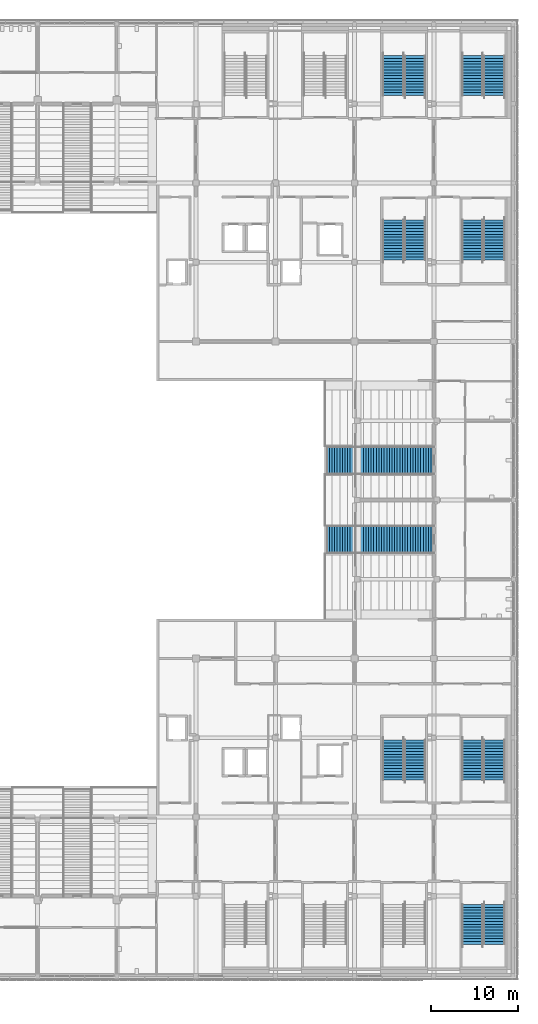
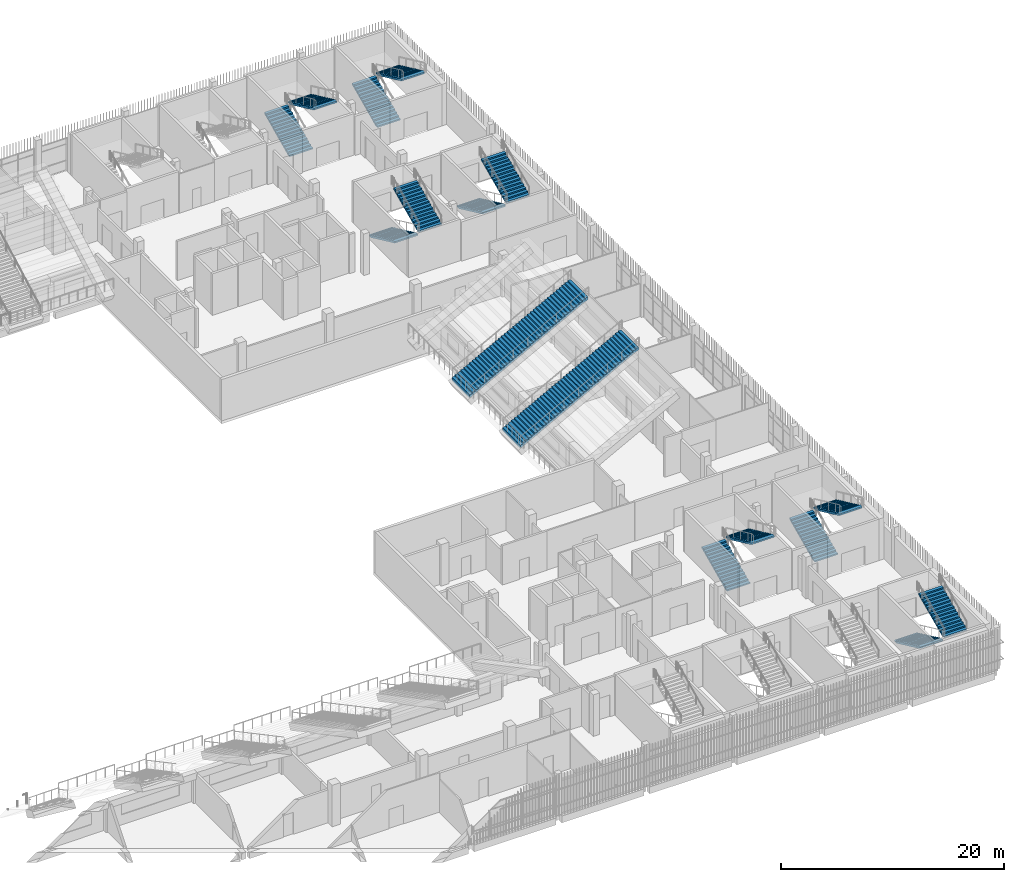
# One storey, part 95 of 139: 16 stair flights, 9 elements without a shape of their own.
"""IFC4 building model written with IfcOpenShell, lengths in metres."""

from ifc_helpers import new_model, si_unit, direction, frame, origin, place, context, subcontext, project, spatial, polyline, outline, extrude, material, type_object, element, aggregate, save


model = new_model("IFC4")

# Units and contexts
model_context = context("Model", 3, precision=1e-05, world=origin(), true_north=direction((0.0, 1.0)))
body_context = subcontext(model_context, "Body", "Model", "MODEL_VIEW")
ifc_project = project(units=[si_unit("LENGTHUNIT", "METRE"), si_unit("AREAUNIT", "SQUARE_METRE"), si_unit("VOLUMEUNIT", "CUBIC_METRE"), si_unit("PLANEANGLEUNIT", "RADIAN"), si_unit("MASSUNIT", "GRAM", prefix="KILO")], contexts=[model_context])

# Site, building, storey
site_placement = place(None, origin())
site = spatial("IfcSite", under=ifc_project, at=site_placement, CompositionType="ELEMENT")
building_placement = place(site_placement, origin())
building = spatial("IfcBuilding", under=site, at=building_placement, Name="Shirokan Park Arena", CompositionType="ELEMENT")
storey_placement = place(building_placement, frame((0.0, 0.0, 15.469970703125)))
storey = spatial("IfcBuildingStorey", under=building, at=storey_placement, Name="L03", CompositionType="ELEMENT", Elevation=15.469970703125)

# Stair, stair flights
ifc_material = material(Name="Concrete C30 precast", Category="concrete")
stair_type_1 = type_object("IfcStairType", Name="Stair 30 risers 152 x 327 2400 wide", PredefinedType="TWO_STRAIGHT_RUN_STAIR", material=ifc_material)
stair_1_placement = place(storey_placement, origin())
stair_1 = element("IfcStair", 1, at=stair_1_placement, inside=storey, type_object=stair_type_1, Name="Exit Stair 2.A L03 to L04", PredefinedType="TWO_STRAIGHT_RUN_STAIR")
stair_flight_type_1 = type_object("IfcStairFlightType", Name="Stair flight 15 risers 152 x 327 2400 wide", PredefinedType="STRAIGHT", material=ifc_material)
stair_flight_1_placement = place(storey_placement, frame((140.949951171875, 8.14990234375, 0.0), z_axis=(0.0, 0.0, 1.0), x_axis=(0.0, -1.0, 0.0)))
stair_flight_1 = element("IfcStairFlight", 2, at=stair_flight_1_placement, type_object=stair_flight_type_1, Name="ST04.4 flight 1", NumberOfRisers=15, NumberOfTreads=14, PredefinedType="STRAIGHT", RiserHeight=0.151666667, TreadLength=0.3267, context=body_context, shape_type="SweptSolid", body=[
    extrude(outline(polyline([(0.0, 0.0), (0.0, 0.151611328125), (0.32666015625, 0.151611328125), (0.32666015625, 0.30322265625), (0.6533203125, 0.30322265625), (0.6533203125, 0.455078125), (0.97998046875, 0.455078125), (0.97998046875, 0.606689453125), (1.306884765625, 0.606689453125), (1.306884765625, 0.75830078125), (1.633544921875, 0.75830078125), (1.633544921875, 0.909912109375), (1.960205078125, 0.909912109375), (1.960205078125, 1.061767578125), (2.286865234375, 1.061767578125), (2.286865234375, 1.21337890625), (2.613525390625, 1.21337890625), (2.613525390625, 1.364990234375), (2.940185546875, 1.364990234375), (2.940185546875, 1.5166015625), (3.26708984375, 1.5166015625), (3.26708984375, 1.668212890625), (3.59375, 1.668212890625), (3.59375, 1.820068359375), (3.92041015625, 1.820068359375), (3.92041015625, 1.9716796875), (4.2470703125, 1.9716796875), (4.2470703125, 2.123291015625), (4.57373046875, 2.123291015625), (4.57373046875, 2.27490234375), (4.57373046875, 1.9580078125), (0.35595703125, 0.0), (0.0, 0.0)])), frame((0.0, 1.199951171875, 0.0), z_axis=(0.0, -1.0, 0.0), x_axis=(1.0, 0.0, 0.0)), (0.0, 0.0, 1.0), 2.39990234375),
])
stair_flight_2_placement = place(storey_placement, frame((143.449951171875, 3.576171875, 2.275146484375), z_axis=(0.0, 0.0, 1.0), x_axis=(0.0, 1.0, 0.0)))
stair_flight_2 = element("IfcStairFlight", 3, at=stair_flight_2_placement, type_object=stair_flight_type_1, Name="ST04.4 flight 2", NumberOfRisers=15, NumberOfTreads=14, PredefinedType="STRAIGHT", RiserHeight=0.151666667, TreadLength=0.3267, context=body_context, shape_type="SweptSolid", body=[
    extrude(outline(polyline([(0.0, 0.0), (0.0, 0.151611328125), (0.32666015625, 0.151611328125), (0.32666015625, 0.30322265625), (0.6533203125, 0.30322265625), (0.6533203125, 0.455078125), (0.97998046875, 0.455078125), (0.97998046875, 0.606689453125), (1.306884765625, 0.606689453125), (1.306884765625, 0.75830078125), (1.633544921875, 0.75830078125), (1.633544921875, 0.909912109375), (1.960205078125, 0.909912109375), (1.960205078125, 1.061767578125), (2.286865234375, 1.061767578125), (2.286865234375, 1.21337890625), (2.613525390625, 1.21337890625), (2.613525390625, 1.364990234375), (2.940185546875, 1.364990234375), (2.940185546875, 1.5166015625), (3.26708984375, 1.5166015625), (3.26708984375, 1.668212890625), (3.59375, 1.668212890625), (3.59375, 1.820068359375), (3.92041015625, 1.820068359375), (3.92041015625, 1.9716796875), (4.2470703125, 1.9716796875), (4.2470703125, 2.123291015625), (4.57373046875, 2.123291015625), (4.57373046875, 2.27490234375), (4.57373046875, 1.9580078125), (0.35595703125, 0.0), (0.0, 0.0)])), frame((0.0, 1.199951171875, 0.0), z_axis=(0.0, -1.0, 0.0), x_axis=(1.0, 0.0, 0.0)), (0.0, 0.0, 1.0), 2.39990234375),
])
aggregate(stair_1, [stair_flight_1, stair_flight_2])

stair_2_placement = place(storey_placement, origin())
stair_2 = element("IfcStair", 4, at=stair_2_placement, inside=storey, type_object=stair_type_1, Name="Exit Stair 2.E L03 to L04", PredefinedType="TWO_STRAIGHT_RUN_STAIR")
stair_flight_3_placement = place(storey_placement, frame((140.949951171875, 22.449951171875, 0.0), z_axis=(0.0, 0.0, 1.0), x_axis=(0.0, 1.0, 0.0)))
stair_flight_3 = element("IfcStairFlight", 5, at=stair_flight_3_placement, type_object=stair_flight_type_1, Name="ST08.4 flight 1", NumberOfRisers=15, NumberOfTreads=14, PredefinedType="STRAIGHT", RiserHeight=0.151666667, TreadLength=0.3267, context=body_context, shape_type="SweptSolid", body=[
    extrude(outline(polyline([(0.0, 0.0), (0.0, 0.151611328125), (0.32666015625, 0.151611328125), (0.32666015625, 0.30322265625), (0.6533203125, 0.30322265625), (0.6533203125, 0.455078125), (0.97998046875, 0.455078125), (0.97998046875, 0.606689453125), (1.306884765625, 0.606689453125), (1.306884765625, 0.75830078125), (1.633544921875, 0.75830078125), (1.633544921875, 0.909912109375), (1.960205078125, 0.909912109375), (1.960205078125, 1.061767578125), (2.286865234375, 1.061767578125), (2.286865234375, 1.21337890625), (2.613525390625, 1.21337890625), (2.613525390625, 1.364990234375), (2.940185546875, 1.364990234375), (2.940185546875, 1.5166015625), (3.26708984375, 1.5166015625), (3.26708984375, 1.668212890625), (3.59375, 1.668212890625), (3.59375, 1.820068359375), (3.92041015625, 1.820068359375), (3.92041015625, 1.9716796875), (4.2470703125, 1.9716796875), (4.2470703125, 2.123291015625), (4.57373046875, 2.123291015625), (4.57373046875, 2.27490234375), (4.57373046875, 1.9580078125), (0.35595703125, 0.0), (0.0, 0.0)])), frame((0.0, 1.199951171875, 0.0), z_axis=(0.0, -1.0, 0.0), x_axis=(1.0, 0.0, 0.0)), (0.0, 0.0, 1.0), 2.39990234375),
])
stair_flight_4_placement = place(storey_placement, frame((143.449951171875, 27.023681640625, 2.275146484375), z_axis=(0.0, 0.0, 1.0), x_axis=(0.0, -1.0, 0.0)))
stair_flight_4 = element("IfcStairFlight", 6, at=stair_flight_4_placement, type_object=stair_flight_type_1, Name="ST08.4 flight 2", NumberOfRisers=15, NumberOfTreads=14, PredefinedType="STRAIGHT", RiserHeight=0.151666667, TreadLength=0.3267, context=body_context, shape_type="SweptSolid", body=[
    extrude(outline(polyline([(0.0, 0.0), (0.0, 0.151611328125), (0.32666015625, 0.151611328125), (0.32666015625, 0.30322265625), (0.6533203125, 0.30322265625), (0.6533203125, 0.455078125), (0.97998046875, 0.455078125), (0.97998046875, 0.606689453125), (1.306884765625, 0.606689453125), (1.306884765625, 0.75830078125), (1.633544921875, 0.75830078125), (1.633544921875, 0.909912109375), (1.960205078125, 0.909912109375), (1.960205078125, 1.061767578125), (2.286865234375, 1.061767578125), (2.286865234375, 1.21337890625), (2.613525390625, 1.21337890625), (2.613525390625, 1.364990234375), (2.940185546875, 1.364990234375), (2.940185546875, 1.5166015625), (3.26708984375, 1.5166015625), (3.26708984375, 1.668212890625), (3.59375, 1.668212890625), (3.59375, 1.820068359375), (3.92041015625, 1.820068359375), (3.92041015625, 1.9716796875), (4.2470703125, 1.9716796875), (4.2470703125, 2.123291015625), (4.57373046875, 2.123291015625), (4.57373046875, 2.27490234375), (4.57373046875, 1.9580078125), (0.35595703125, 0.0), (0.0, 0.0)])), frame((0.0, 1.199951171875, 0.0), z_axis=(0.0, -1.0, 0.0), x_axis=(1.0, 0.0, 0.0)), (0.0, 0.0, 1.0), 2.39990234375),
])
aggregate(stair_2, [stair_flight_3, stair_flight_4])

stair_3_placement = place(storey_placement, origin())
stair_3 = element("IfcStair", 7, at=stair_3_placement, inside=storey, type_object=stair_type_1, Name="Exit Stair 2.F L03 to L04", PredefinedType="TWO_STRAIGHT_RUN_STAIR")
stair_flight_5_placement = place(storey_placement, frame((131.85009765625, 22.449951171875, 0.0), z_axis=(0.0, 0.0, 1.0), x_axis=(0.0, 1.0, 0.0)))
stair_flight_5 = element("IfcStairFlight", 8, at=stair_flight_5_placement, type_object=stair_flight_type_1, Name="ST09.4 flight 1", NumberOfRisers=15, NumberOfTreads=14, PredefinedType="STRAIGHT", RiserHeight=0.151666667, TreadLength=0.3267, context=body_context, shape_type="SweptSolid", body=[
    extrude(outline(polyline([(0.0, 0.0), (0.0, 0.151611328125), (0.32666015625, 0.151611328125), (0.32666015625, 0.30322265625), (0.6533203125, 0.30322265625), (0.6533203125, 0.455078125), (0.97998046875, 0.455078125), (0.97998046875, 0.606689453125), (1.306884765625, 0.606689453125), (1.306884765625, 0.75830078125), (1.633544921875, 0.75830078125), (1.633544921875, 0.909912109375), (1.960205078125, 0.909912109375), (1.960205078125, 1.061767578125), (2.286865234375, 1.061767578125), (2.286865234375, 1.21337890625), (2.613525390625, 1.21337890625), (2.613525390625, 1.364990234375), (2.940185546875, 1.364990234375), (2.940185546875, 1.5166015625), (3.26708984375, 1.5166015625), (3.26708984375, 1.668212890625), (3.59375, 1.668212890625), (3.59375, 1.820068359375), (3.92041015625, 1.820068359375), (3.92041015625, 1.9716796875), (4.2470703125, 1.9716796875), (4.2470703125, 2.123291015625), (4.57373046875, 2.123291015625), (4.57373046875, 2.27490234375), (4.57373046875, 1.9580078125), (0.35595703125, 0.0), (0.0, 0.0)])), frame((0.0, 1.199951171875, 0.0), z_axis=(0.0, -1.0, 0.0), x_axis=(1.0, 0.0, 0.0)), (0.0, 0.0, 1.0), 2.39990234375),
])
stair_flight_6_placement = place(storey_placement, frame((134.35009765625, 27.023681640625, 2.275146484375), z_axis=(0.0, 0.0, 1.0), x_axis=(0.0, -1.0, 0.0)))
stair_flight_6 = element("IfcStairFlight", 9, at=stair_flight_6_placement, type_object=stair_flight_type_1, Name="ST09.4 flight 2", NumberOfRisers=15, NumberOfTreads=14, PredefinedType="STRAIGHT", RiserHeight=0.151666667, TreadLength=0.3267, context=body_context, shape_type="SweptSolid", body=[
    extrude(outline(polyline([(0.0, 0.0), (0.0, 0.151611328125), (0.32666015625, 0.151611328125), (0.32666015625, 0.30322265625), (0.6533203125, 0.30322265625), (0.6533203125, 0.455078125), (0.97998046875, 0.455078125), (0.97998046875, 0.606689453125), (1.306884765625, 0.606689453125), (1.306884765625, 0.75830078125), (1.633544921875, 0.75830078125), (1.633544921875, 0.909912109375), (1.960205078125, 0.909912109375), (1.960205078125, 1.061767578125), (2.286865234375, 1.061767578125), (2.286865234375, 1.21337890625), (2.613525390625, 1.21337890625), (2.613525390625, 1.364990234375), (2.940185546875, 1.364990234375), (2.940185546875, 1.5166015625), (3.26708984375, 1.5166015625), (3.26708984375, 1.668212890625), (3.59375, 1.668212890625), (3.59375, 1.820068359375), (3.92041015625, 1.820068359375), (3.92041015625, 1.9716796875), (4.2470703125, 1.9716796875), (4.2470703125, 2.123291015625), (4.57373046875, 2.123291015625), (4.57373046875, 2.27490234375), (4.57373046875, 1.9580078125), (0.35595703125, 0.0), (0.0, 0.0)])), frame((0.0, 1.199951171875, 0.0), z_axis=(0.0, -1.0, 0.0), x_axis=(1.0, 0.0, 0.0)), (0.0, 0.0, 1.0), 2.39990234375),
])
aggregate(stair_3, [stair_flight_5, stair_flight_6])

stair_4_placement = place(storey_placement, origin())
stair_4 = element("IfcStair", 10, at=stair_4_placement, inside=storey, type_object=stair_type_1, Name="Exit Stair 3.A L03 to L04", PredefinedType="TWO_STRAIGHT_RUN_STAIR")
stair_flight_7_placement = place(storey_placement, frame((140.949951171875, 101.050048828125, 0.0), z_axis=(0.0, 0.0, 1.0), x_axis=(0.0, 1.0, 0.0)))
stair_flight_7 = element("IfcStairFlight", 11, at=stair_flight_7_placement, type_object=stair_flight_type_1, Name="ST16.4 flight 1", NumberOfRisers=15, NumberOfTreads=14, PredefinedType="STRAIGHT", RiserHeight=0.151666667, TreadLength=0.3267, context=body_context, shape_type="SweptSolid", body=[
    extrude(outline(polyline([(0.0, 0.0), (0.0, 0.151611328125), (0.32666015625, 0.151611328125), (0.32666015625, 0.30322265625), (0.6533203125, 0.30322265625), (0.6533203125, 0.455078125), (0.97998046875, 0.455078125), (0.97998046875, 0.606689453125), (1.306884765625, 0.606689453125), (1.306884765625, 0.75830078125), (1.633544921875, 0.75830078125), (1.633544921875, 0.909912109375), (1.960205078125, 0.909912109375), (1.960205078125, 1.061767578125), (2.286865234375, 1.061767578125), (2.286865234375, 1.21337890625), (2.613525390625, 1.21337890625), (2.613525390625, 1.364990234375), (2.940185546875, 1.364990234375), (2.940185546875, 1.5166015625), (3.26708984375, 1.5166015625), (3.26708984375, 1.668212890625), (3.59375, 1.668212890625), (3.59375, 1.820068359375), (3.92041015625, 1.820068359375), (3.92041015625, 1.9716796875), (4.2470703125, 1.9716796875), (4.2470703125, 2.123291015625), (4.57373046875, 2.123291015625), (4.57373046875, 2.27490234375), (4.57373046875, 1.9580078125), (0.35595703125, 0.0), (0.0, 0.0)])), frame((0.0, 1.199951171875, 0.0), z_axis=(0.0, -1.0, 0.0), x_axis=(1.0, 0.0, 0.0)), (0.0, 0.0, 1.0), 2.39990234375),
])
stair_flight_8_placement = place(storey_placement, frame((143.449951171875, 105.623779296875, 2.275146484375), z_axis=(0.0, 0.0, 1.0), x_axis=(0.0, -1.0, 0.0)))
stair_flight_8 = element("IfcStairFlight", 12, at=stair_flight_8_placement, type_object=stair_flight_type_1, Name="ST16.4 flight 2", NumberOfRisers=15, NumberOfTreads=14, PredefinedType="STRAIGHT", RiserHeight=0.151666667, TreadLength=0.3267, context=body_context, shape_type="SweptSolid", body=[
    extrude(outline(polyline([(0.0, 0.0), (0.0, 0.151611328125), (0.32666015625, 0.151611328125), (0.32666015625, 0.30322265625), (0.6533203125, 0.30322265625), (0.6533203125, 0.455078125), (0.97998046875, 0.455078125), (0.97998046875, 0.606689453125), (1.306884765625, 0.606689453125), (1.306884765625, 0.75830078125), (1.633544921875, 0.75830078125), (1.633544921875, 0.909912109375), (1.960205078125, 0.909912109375), (1.960205078125, 1.061767578125), (2.286865234375, 1.061767578125), (2.286865234375, 1.21337890625), (2.613525390625, 1.21337890625), (2.613525390625, 1.364990234375), (2.940185546875, 1.364990234375), (2.940185546875, 1.5166015625), (3.26708984375, 1.5166015625), (3.26708984375, 1.668212890625), (3.59375, 1.668212890625), (3.59375, 1.820068359375), (3.92041015625, 1.820068359375), (3.92041015625, 1.9716796875), (4.2470703125, 1.9716796875), (4.2470703125, 2.123291015625), (4.57373046875, 2.123291015625), (4.57373046875, 2.27490234375), (4.57373046875, 1.9580078125), (0.35595703125, 0.0), (0.0, 0.0)])), frame((0.0, 1.199951171875, 0.0), z_axis=(0.0, -1.0, 0.0), x_axis=(1.0, 0.0, 0.0)), (0.0, 0.0, 1.0), 2.39990234375),
])
aggregate(stair_4, [stair_flight_7, stair_flight_8])

stair_5_placement = place(storey_placement, origin())
stair_5 = element("IfcStair", 13, at=stair_5_placement, inside=storey, type_object=stair_type_1, Name="Exit Stair 3.B L03 to L04", PredefinedType="TWO_STRAIGHT_RUN_STAIR")
stair_flight_9_placement = place(storey_placement, frame((131.85009765625, 101.050048828125, 0.0), z_axis=(0.0, 0.0, 1.0), x_axis=(0.0, 1.0, 0.0)))
stair_flight_9 = element("IfcStairFlight", 14, at=stair_flight_9_placement, type_object=stair_flight_type_1, Name="ST17.4 flight 1", NumberOfRisers=15, NumberOfTreads=14, PredefinedType="STRAIGHT", RiserHeight=0.151666667, TreadLength=0.3267, context=body_context, shape_type="SweptSolid", body=[
    extrude(outline(polyline([(0.0, 0.0), (0.0, 0.151611328125), (0.32666015625, 0.151611328125), (0.32666015625, 0.30322265625), (0.6533203125, 0.30322265625), (0.6533203125, 0.455078125), (0.97998046875, 0.455078125), (0.97998046875, 0.606689453125), (1.306884765625, 0.606689453125), (1.306884765625, 0.75830078125), (1.633544921875, 0.75830078125), (1.633544921875, 0.909912109375), (1.960205078125, 0.909912109375), (1.960205078125, 1.061767578125), (2.286865234375, 1.061767578125), (2.286865234375, 1.21337890625), (2.613525390625, 1.21337890625), (2.613525390625, 1.364990234375), (2.940185546875, 1.364990234375), (2.940185546875, 1.5166015625), (3.26708984375, 1.5166015625), (3.26708984375, 1.668212890625), (3.59375, 1.668212890625), (3.59375, 1.820068359375), (3.92041015625, 1.820068359375), (3.92041015625, 1.9716796875), (4.2470703125, 1.9716796875), (4.2470703125, 2.123291015625), (4.57373046875, 2.123291015625), (4.57373046875, 2.27490234375), (4.57373046875, 1.9580078125), (0.35595703125, 0.0), (0.0, 0.0)])), frame((0.0, 1.199951171875, 0.0), z_axis=(0.0, -1.0, 0.0), x_axis=(1.0, 0.0, 0.0)), (0.0, 0.0, 1.0), 2.39990234375),
])
stair_flight_10_placement = place(storey_placement, frame((134.35009765625, 105.623779296875, 2.275146484375), z_axis=(0.0, 0.0, 1.0), x_axis=(0.0, -1.0, 0.0)))
stair_flight_10 = element("IfcStairFlight", 15, at=stair_flight_10_placement, type_object=stair_flight_type_1, Name="ST17.4 flight 2", NumberOfRisers=15, NumberOfTreads=14, PredefinedType="STRAIGHT", RiserHeight=0.151666667, TreadLength=0.3267, context=body_context, shape_type="SweptSolid", body=[
    extrude(outline(polyline([(0.0, 0.0), (0.0, 0.151611328125), (0.32666015625, 0.151611328125), (0.32666015625, 0.30322265625), (0.6533203125, 0.30322265625), (0.6533203125, 0.455078125), (0.97998046875, 0.455078125), (0.97998046875, 0.606689453125), (1.306884765625, 0.606689453125), (1.306884765625, 0.75830078125), (1.633544921875, 0.75830078125), (1.633544921875, 0.909912109375), (1.960205078125, 0.909912109375), (1.960205078125, 1.061767578125), (2.286865234375, 1.061767578125), (2.286865234375, 1.21337890625), (2.613525390625, 1.21337890625), (2.613525390625, 1.364990234375), (2.940185546875, 1.364990234375), (2.940185546875, 1.5166015625), (3.26708984375, 1.5166015625), (3.26708984375, 1.668212890625), (3.59375, 1.668212890625), (3.59375, 1.820068359375), (3.92041015625, 1.820068359375), (3.92041015625, 1.9716796875), (4.2470703125, 1.9716796875), (4.2470703125, 2.123291015625), (4.57373046875, 2.123291015625), (4.57373046875, 2.27490234375), (4.57373046875, 1.9580078125), (0.35595703125, 0.0), (0.0, 0.0)])), frame((0.0, 1.199951171875, 0.0), z_axis=(0.0, -1.0, 0.0), x_axis=(1.0, 0.0, 0.0)), (0.0, 0.0, 1.0), 2.39990234375),
])
aggregate(stair_5, [stair_flight_9, stair_flight_10])

stair_6_placement = place(storey_placement, origin())
stair_6 = element("IfcStair", 16, at=stair_6_placement, inside=storey, type_object=stair_type_1, Name="Exit Stair 3.E L03 to L04", PredefinedType="TWO_STRAIGHT_RUN_STAIR")
stair_flight_11_placement = place(storey_placement, frame((140.949951171875, 86.75, 0.0), z_axis=(0.0, 0.0, 1.0), x_axis=(0.0, -1.0, 0.0)))
stair_flight_11 = element("IfcStairFlight", 17, at=stair_flight_11_placement, type_object=stair_flight_type_1, Name="ST20.4 flight 1", NumberOfRisers=15, NumberOfTreads=14, PredefinedType="STRAIGHT", RiserHeight=0.151666667, TreadLength=0.3267, context=body_context, shape_type="SweptSolid", body=[
    extrude(outline(polyline([(0.0, 0.0), (0.0, 0.151611328125), (0.32666015625, 0.151611328125), (0.32666015625, 0.30322265625), (0.6533203125, 0.30322265625), (0.6533203125, 0.455078125), (0.97998046875, 0.455078125), (0.97998046875, 0.606689453125), (1.306884765625, 0.606689453125), (1.306884765625, 0.75830078125), (1.633544921875, 0.75830078125), (1.633544921875, 0.909912109375), (1.960205078125, 0.909912109375), (1.960205078125, 1.061767578125), (2.286865234375, 1.061767578125), (2.286865234375, 1.21337890625), (2.613525390625, 1.21337890625), (2.613525390625, 1.364990234375), (2.940185546875, 1.364990234375), (2.940185546875, 1.5166015625), (3.26708984375, 1.5166015625), (3.26708984375, 1.668212890625), (3.59375, 1.668212890625), (3.59375, 1.820068359375), (3.92041015625, 1.820068359375), (3.92041015625, 1.9716796875), (4.2470703125, 1.9716796875), (4.2470703125, 2.123291015625), (4.57373046875, 2.123291015625), (4.57373046875, 2.27490234375), (4.57373046875, 1.9580078125), (0.35595703125, 0.0), (0.0, 0.0)])), frame((0.0, 1.199951171875, 0.0), z_axis=(0.0, -1.0, 0.0), x_axis=(1.0, 0.0, 0.0)), (0.0, 0.0, 1.0), 2.39990234375),
])
stair_flight_12_placement = place(storey_placement, frame((143.449951171875, 82.17626953125, 2.275146484375), z_axis=(0.0, 0.0, 1.0), x_axis=(0.0, 1.0, 0.0)))
stair_flight_12 = element("IfcStairFlight", 18, at=stair_flight_12_placement, type_object=stair_flight_type_1, Name="ST20.4 flight 2", NumberOfRisers=15, NumberOfTreads=14, PredefinedType="STRAIGHT", RiserHeight=0.151666667, TreadLength=0.3267, context=body_context, shape_type="SweptSolid", body=[
    extrude(outline(polyline([(0.0, 0.0), (0.0, 0.151611328125), (0.32666015625, 0.151611328125), (0.32666015625, 0.30322265625), (0.6533203125, 0.30322265625), (0.6533203125, 0.455078125), (0.97998046875, 0.455078125), (0.97998046875, 0.606689453125), (1.306884765625, 0.606689453125), (1.306884765625, 0.75830078125), (1.633544921875, 0.75830078125), (1.633544921875, 0.909912109375), (1.960205078125, 0.909912109375), (1.960205078125, 1.061767578125), (2.286865234375, 1.061767578125), (2.286865234375, 1.21337890625), (2.613525390625, 1.21337890625), (2.613525390625, 1.364990234375), (2.940185546875, 1.364990234375), (2.940185546875, 1.5166015625), (3.26708984375, 1.5166015625), (3.26708984375, 1.668212890625), (3.59375, 1.668212890625), (3.59375, 1.820068359375), (3.92041015625, 1.820068359375), (3.92041015625, 1.9716796875), (4.2470703125, 1.9716796875), (4.2470703125, 2.123291015625), (4.57373046875, 2.123291015625), (4.57373046875, 2.27490234375), (4.57373046875, 1.9580078125), (0.35595703125, 0.0), (0.0, 0.0)])), frame((0.0, 1.199951171875, 0.0), z_axis=(0.0, -1.0, 0.0), x_axis=(1.0, 0.0, 0.0)), (0.0, 0.0, 1.0), 2.39990234375),
])
aggregate(stair_6, [stair_flight_11, stair_flight_12])

stair_7_placement = place(storey_placement, origin())
stair_7 = element("IfcStair", 19, at=stair_7_placement, inside=storey, type_object=stair_type_1, Name="Exit Stair 3.F L03 to L04", PredefinedType="TWO_STRAIGHT_RUN_STAIR")
stair_flight_13_placement = place(storey_placement, frame((131.85009765625, 86.75, 0.0), z_axis=(0.0, 0.0, 1.0), x_axis=(0.0, -1.0, 0.0)))
stair_flight_13 = element("IfcStairFlight", 20, at=stair_flight_13_placement, type_object=stair_flight_type_1, Name="ST21.4 flight 1", NumberOfRisers=15, NumberOfTreads=14, PredefinedType="STRAIGHT", RiserHeight=0.151666667, TreadLength=0.3267, context=body_context, shape_type="SweptSolid", body=[
    extrude(outline(polyline([(0.0, 0.0), (0.0, 0.151611328125), (0.32666015625, 0.151611328125), (0.32666015625, 0.30322265625), (0.6533203125, 0.30322265625), (0.6533203125, 0.455078125), (0.97998046875, 0.455078125), (0.97998046875, 0.606689453125), (1.306884765625, 0.606689453125), (1.306884765625, 0.75830078125), (1.633544921875, 0.75830078125), (1.633544921875, 0.909912109375), (1.960205078125, 0.909912109375), (1.960205078125, 1.061767578125), (2.286865234375, 1.061767578125), (2.286865234375, 1.21337890625), (2.613525390625, 1.21337890625), (2.613525390625, 1.364990234375), (2.940185546875, 1.364990234375), (2.940185546875, 1.5166015625), (3.26708984375, 1.5166015625), (3.26708984375, 1.668212890625), (3.59375, 1.668212890625), (3.59375, 1.820068359375), (3.92041015625, 1.820068359375), (3.92041015625, 1.9716796875), (4.2470703125, 1.9716796875), (4.2470703125, 2.123291015625), (4.57373046875, 2.123291015625), (4.57373046875, 2.27490234375), (4.57373046875, 1.9580078125), (0.35595703125, 0.0), (0.0, 0.0)])), frame((0.0, 1.199951171875, 0.0), z_axis=(0.0, -1.0, 0.0), x_axis=(1.0, 0.0, 0.0)), (0.0, 0.0, 1.0), 2.39990234375),
])
stair_flight_14_placement = place(storey_placement, frame((134.35009765625, 82.17626953125, 2.275146484375), z_axis=(0.0, 0.0, 1.0), x_axis=(0.0, 1.0, 0.0)))
stair_flight_14 = element("IfcStairFlight", 21, at=stair_flight_14_placement, type_object=stair_flight_type_1, Name="ST21.4 flight 2", NumberOfRisers=15, NumberOfTreads=14, PredefinedType="STRAIGHT", RiserHeight=0.151666667, TreadLength=0.3267, context=body_context, shape_type="SweptSolid", body=[
    extrude(outline(polyline([(0.0, 0.0), (0.0, 0.151611328125), (0.32666015625, 0.151611328125), (0.32666015625, 0.30322265625), (0.6533203125, 0.30322265625), (0.6533203125, 0.455078125), (0.97998046875, 0.455078125), (0.97998046875, 0.606689453125), (1.306884765625, 0.606689453125), (1.306884765625, 0.75830078125), (1.633544921875, 0.75830078125), (1.633544921875, 0.909912109375), (1.960205078125, 0.909912109375), (1.960205078125, 1.061767578125), (2.286865234375, 1.061767578125), (2.286865234375, 1.21337890625), (2.613525390625, 1.21337890625), (2.613525390625, 1.364990234375), (2.940185546875, 1.364990234375), (2.940185546875, 1.5166015625), (3.26708984375, 1.5166015625), (3.26708984375, 1.668212890625), (3.59375, 1.668212890625), (3.59375, 1.820068359375), (3.92041015625, 1.820068359375), (3.92041015625, 1.9716796875), (4.2470703125, 1.9716796875), (4.2470703125, 2.123291015625), (4.57373046875, 2.123291015625), (4.57373046875, 2.27490234375), (4.57373046875, 1.9580078125), (0.35595703125, 0.0), (0.0, 0.0)])), frame((0.0, 1.199951171875, 0.0), z_axis=(0.0, -1.0, 0.0), x_axis=(1.0, 0.0, 0.0)), (0.0, 0.0, 1.0), 2.39990234375),
])
aggregate(stair_7, [stair_flight_13, stair_flight_14])

# Stair, stair flight
stair_type_2 = type_object("IfcStairType", Name="Stair 42 risers 160 x 300 3200 wide", PredefinedType="STRAIGHT_RUN_STAIR", material=ifc_material)
stair_8_placement = place(storey_placement, origin())
stair_8 = element("IfcStair", 22, at=stair_8_placement, inside=storey, type_object=stair_type_2, Name="Vomitory stair E1 upper", PredefinedType="STRAIGHT_RUN_STAIR")
stair_flight_type_2 = type_object("IfcStairFlightType", Name="Stair flight 42 risers 160 x 300 3200 wide", PredefinedType="STRAIGHT", material=ifc_material)
stair_flight_15_placement = place(storey_placement, frame((124.199951171875, 50.050048828125, 2.380126953125), z_axis=(0.0, 0.0, 1.0), x_axis=(1.0, 0.0, 0.0)))
stair_flight_15 = element("IfcStairFlight", 23, at=stair_flight_15_placement, type_object=stair_flight_type_2, Name="VS-E1U flight 1", NumberOfRisers=42, NumberOfTreads=41, PredefinedType="STRAIGHT", RiserHeight=0.16, TreadLength=0.3, context=body_context, shape_type="SweptSolid", body=[
    extrude(outline(polyline([(0.0, -0.2265625), (0.0, 0.0), (0.0, 0.159912109375), (0.300048828125, 0.159912109375), (0.300048828125, 0.320068359375), (0.60009765625, 0.320068359375), (0.60009765625, 0.47998046875), (0.89990234375, 0.47998046875), (0.89990234375, 0.639892578125), (1.199951171875, 0.639892578125), (1.199951171875, 0.800048828125), (1.5, 0.800048828125), (1.5, 0.9599609375), (1.800048828125, 0.9599609375), (1.800048828125, 1.1201171875), (2.10009765625, 1.1201171875), (2.10009765625, 1.280029296875), (2.39990234375, 1.280029296875), (2.39990234375, 1.43994140625), (2.699951171875, 1.43994140625), (2.699951171875, 1.60009765625), (3.0, 1.60009765625), (3.0, 1.760009765625), (3.300048828125, 1.760009765625), (3.300048828125, 1.919921875), (3.60009765625, 1.919921875), (3.60009765625, 2.080078125), (3.89990234375, 2.080078125), (3.89990234375, 2.239990234375), (4.199951171875, 2.239990234375), (4.199951171875, 2.39990234375), (4.5, 2.39990234375), (4.5, 2.56005859375), (4.800048828125, 2.56005859375), (4.800048828125, 2.719970703125), (5.10009765625, 2.719970703125), (5.10009765625, 2.8798828125), (5.39990234375, 2.8798828125), (5.39990234375, 3.0400390625), (5.699951171875, 3.0400390625), (5.699951171875, 3.199951171875), (6.0, 3.199951171875), (6.0, 3.360107421875), (6.300048828125, 3.360107421875), (6.300048828125, 3.52001953125), (6.60009765625, 3.52001953125), (6.60009765625, 3.679931640625), (6.89990234375, 3.679931640625), (6.89990234375, 3.840087890625), (7.199951171875, 3.840087890625), (7.199951171875, 4.0), (7.5, 4.0), (7.5, 4.159912109375), (7.800048828125, 4.159912109375), (7.800048828125, 4.320068359375), (8.10009765625, 4.320068359375), (8.10009765625, 4.47998046875), (8.39990234375, 4.47998046875), (8.39990234375, 4.639892578125), (8.699951171875, 4.639892578125), (8.699951171875, 4.800048828125), (9.0, 4.800048828125), (9.0, 4.9599609375), (9.300048828125, 4.9599609375), (9.300048828125, 5.1201171875), (9.60009765625, 5.1201171875), (9.60009765625, 5.280029296875), (9.89990234375, 5.280029296875), (9.89990234375, 5.43994140625), (10.199951171875, 5.43994140625), (10.199951171875, 5.60009765625), (10.5, 5.60009765625), (10.5, 5.760009765625), (10.800048828125, 5.760009765625), (10.800048828125, 5.919921875), (11.10009765625, 5.919921875), (11.10009765625, 6.080078125), (11.39990234375, 6.080078125), (11.39990234375, 6.239990234375), (11.699951171875, 6.239990234375), (11.699951171875, 6.39990234375), (12.0, 6.39990234375), (12.0, 6.56005859375), (12.300048828125, 6.56005859375), (12.300048828125, 6.719970703125), (12.300048828125, 6.33349609375), (0.0, -0.2265625)])), frame((0.0, 1.60009765625, 0.0), z_axis=(0.0, -1.0, 0.0), x_axis=(1.0, 0.0, 0.0)), (0.0, 0.0, 1.0), 3.199951171875),
])
aggregate(stair_8, [stair_flight_15])

stair_9_placement = place(storey_placement, origin())
stair_9 = element("IfcStair", 24, at=stair_9_placement, inside=storey, type_object=stair_type_2, Name="Vomitory stair E2 upper", PredefinedType="STRAIGHT_RUN_STAIR")
stair_flight_16_placement = place(storey_placement, frame((124.199951171875, 59.14990234375, 2.380126953125), z_axis=(0.0, 0.0, 1.0), x_axis=(1.0, 0.0, 0.0)))
stair_flight_16 = element("IfcStairFlight", 25, at=stair_flight_16_placement, type_object=stair_flight_type_2, Name="VS-E2U flight 1", NumberOfRisers=42, NumberOfTreads=41, PredefinedType="STRAIGHT", RiserHeight=0.16, TreadLength=0.3, context=body_context, shape_type="SweptSolid", body=[
    extrude(outline(polyline([(0.0, -0.2265625), (0.0, 0.0), (0.0, 0.159912109375), (0.300048828125, 0.159912109375), (0.300048828125, 0.320068359375), (0.60009765625, 0.320068359375), (0.60009765625, 0.47998046875), (0.89990234375, 0.47998046875), (0.89990234375, 0.639892578125), (1.199951171875, 0.639892578125), (1.199951171875, 0.800048828125), (1.5, 0.800048828125), (1.5, 0.9599609375), (1.800048828125, 0.9599609375), (1.800048828125, 1.1201171875), (2.10009765625, 1.1201171875), (2.10009765625, 1.280029296875), (2.39990234375, 1.280029296875), (2.39990234375, 1.43994140625), (2.699951171875, 1.43994140625), (2.699951171875, 1.60009765625), (3.0, 1.60009765625), (3.0, 1.760009765625), (3.300048828125, 1.760009765625), (3.300048828125, 1.919921875), (3.60009765625, 1.919921875), (3.60009765625, 2.080078125), (3.89990234375, 2.080078125), (3.89990234375, 2.239990234375), (4.199951171875, 2.239990234375), (4.199951171875, 2.39990234375), (4.5, 2.39990234375), (4.5, 2.56005859375), (4.800048828125, 2.56005859375), (4.800048828125, 2.719970703125), (5.10009765625, 2.719970703125), (5.10009765625, 2.8798828125), (5.39990234375, 2.8798828125), (5.39990234375, 3.0400390625), (5.699951171875, 3.0400390625), (5.699951171875, 3.199951171875), (6.0, 3.199951171875), (6.0, 3.360107421875), (6.300048828125, 3.360107421875), (6.300048828125, 3.52001953125), (6.60009765625, 3.52001953125), (6.60009765625, 3.679931640625), (6.89990234375, 3.679931640625), (6.89990234375, 3.840087890625), (7.199951171875, 3.840087890625), (7.199951171875, 4.0), (7.5, 4.0), (7.5, 4.159912109375), (7.800048828125, 4.159912109375), (7.800048828125, 4.320068359375), (8.10009765625, 4.320068359375), (8.10009765625, 4.47998046875), (8.39990234375, 4.47998046875), (8.39990234375, 4.639892578125), (8.699951171875, 4.639892578125), (8.699951171875, 4.800048828125), (9.0, 4.800048828125), (9.0, 4.9599609375), (9.300048828125, 4.9599609375), (9.300048828125, 5.1201171875), (9.60009765625, 5.1201171875), (9.60009765625, 5.280029296875), (9.89990234375, 5.280029296875), (9.89990234375, 5.43994140625), (10.199951171875, 5.43994140625), (10.199951171875, 5.60009765625), (10.5, 5.60009765625), (10.5, 5.760009765625), (10.800048828125, 5.760009765625), (10.800048828125, 5.919921875), (11.10009765625, 5.919921875), (11.10009765625, 6.080078125), (11.39990234375, 6.080078125), (11.39990234375, 6.239990234375), (11.699951171875, 6.239990234375), (11.699951171875, 6.39990234375), (12.0, 6.39990234375), (12.0, 6.56005859375), (12.300048828125, 6.56005859375), (12.300048828125, 6.719970703125), (12.300048828125, 6.33349609375), (0.0, -0.2265625)])), frame((0.0, 1.60009765625, 0.0), z_axis=(0.0, -1.0, 0.0), x_axis=(1.0, 0.0, 0.0)), (0.0, 0.0, 1.0), 3.199951171875),
])
aggregate(stair_9, [stair_flight_16])

save(model, "model.ifc")
